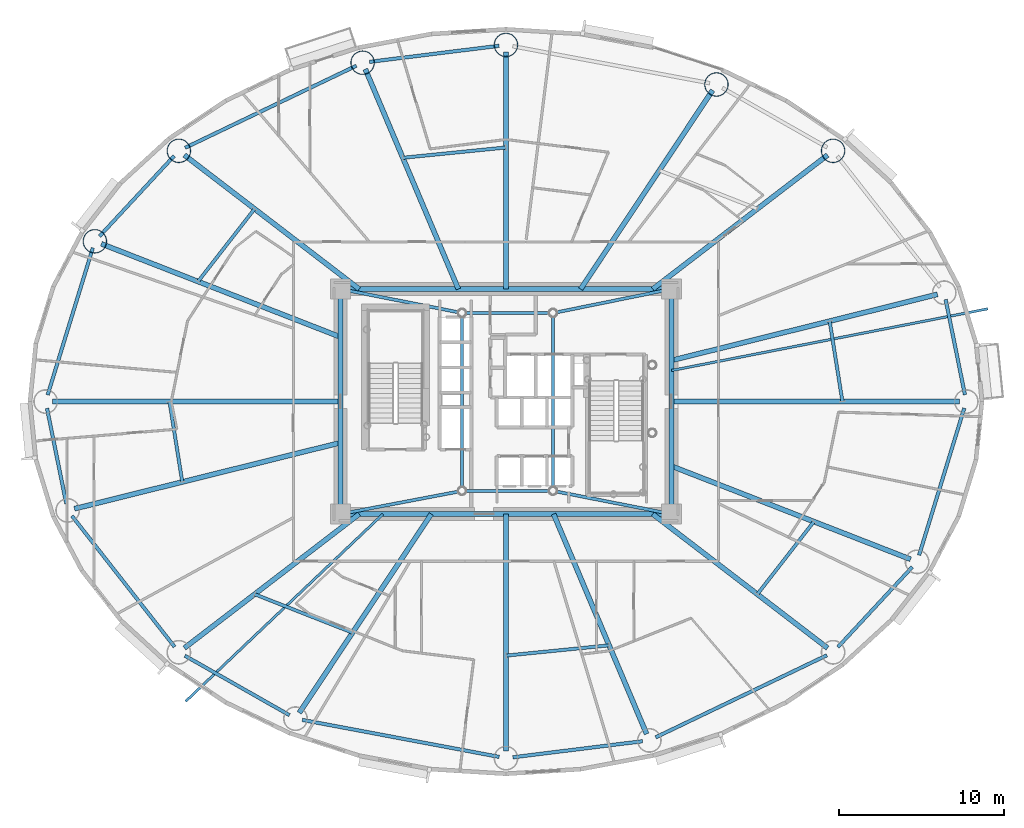
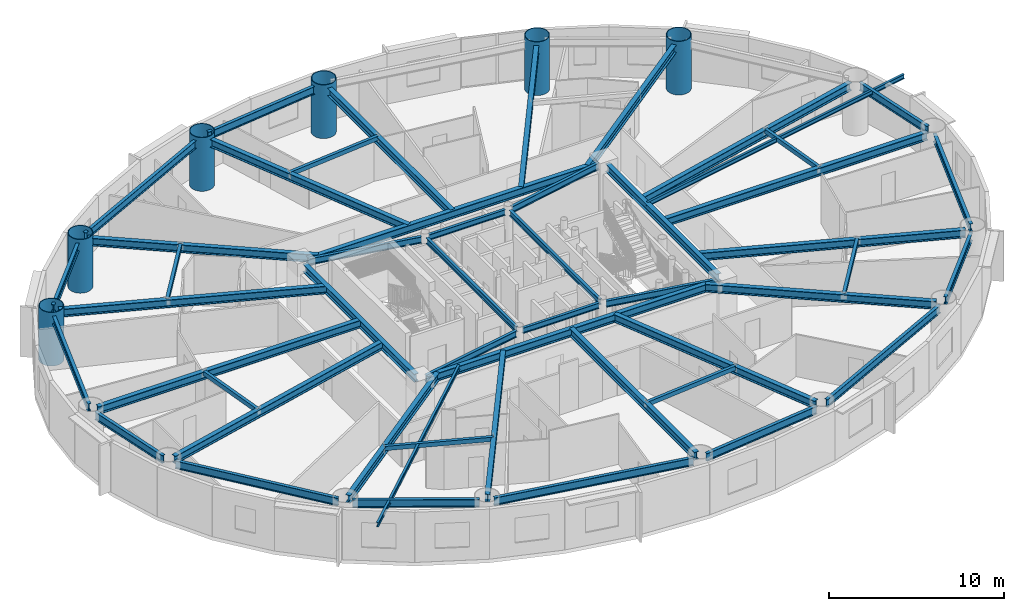
# One storey, part 3 of 21: 50 beams, 6 columns.
"""IFC4 building model written with IfcOpenShell, lengths in metres."""

from ifc_helpers import new_model, si_unit, direction, frame, origin, origin_2d, place, context, subcontext, project, spatial, hollow_rectangle, hollow_circle, i_section, extrude, material, material_profile, profile_set, type_object, element, save


model = new_model("IFC4")

# Units and contexts
model_context = context("Model", 3, precision=1e-05, world=origin(), true_north=direction((0.0, 1.0)))
body_context = subcontext(model_context, "Body", "Model", "MODEL_VIEW")
ifc_project = project(units=[si_unit("LENGTHUNIT", "METRE"), si_unit("AREAUNIT", "SQUARE_METRE"), si_unit("VOLUMEUNIT", "CUBIC_METRE"), si_unit("PLANEANGLEUNIT", "RADIAN"), si_unit("MASSUNIT", "GRAM", prefix="KILO")], contexts=[model_context])

# Site, building, storey
site_placement = place(None, origin())
site = spatial("IfcSite", under=ifc_project, at=site_placement, CompositionType="ELEMENT")
building_placement = place(site_placement, origin())
building = spatial("IfcBuilding", under=site, at=building_placement, Name="Linh Dai School and Residence Tower", CompositionType="ELEMENT")
storey_placement = place(building_placement, frame((0.0, 0.0, 97.199951171875)))
storey = spatial("IfcBuildingStorey", under=building, at=storey_placement, Name="L22", CompositionType="ELEMENT", Elevation=97.199951171875)

# Columns
ifc_material = material(Name="Structural Steel S355JR", Category="steel")
ifc_material_profile_1 = material_profile(ifc_material, hollow_circle(Radius=0.72509765625, WallThickness=0.0419921875, at=origin_2d()), Name="CHS 1450x42")
ifc_profile_set_1 = profile_set([ifc_material_profile_1], Name="Structural Steel S355JR")
column_type = type_object("IfcColumnType", Name="COL-MC3", PredefinedType="COLUMN", material=ifc_profile_set_1)
for number, where, z_axis, x_axis, name in (
    (1, (55.772705078125, 42.155517578125, 0.0), (0.0, 0.0, 1.0), (1.0, 0.0, 0.0), "L22 Perimeter CFT Mega-Column MC03"),
    (2, (48.721923828125, 46.1650390625, 0.0), (0.0, 0.0, 1.0), (1.0, 0.0, 0.0), "L22 Perimeter CFT Mega-Column MC04"),
    (3, (36.0, 48.554931640625, 0.0), (0.0, 0.0, 1.0), (1.0, 0.0, 0.0), "L22 Perimeter CFT Mega-Column MC05"),
    (4, (27.33447265625, 47.480712890625, 0.0), (0.0, 0.0, 1.0), (1.0, 0.0, 0.0), "L22 Perimeter CFT Mega-Column MC06"),
    (5, (16.227294921875, 42.155517578125, 0.0), (0.0, 0.0, 1.0), (1.0, 0.0, 0.0), "L22 Perimeter CFT Mega-Column MC07"),
    (6, (11.15087890625, 36.6875, 0.0), (0.0, 0.0, 1.0), (1.0, 0.0, 0.0), "L22 Perimeter CFT Mega-Column MC08"),
):
    element("IfcColumn", number, at=place(storey_placement, frame(where, z_axis=z_axis, x_axis=x_axis)), inside=storey, type_object=column_type, Name=name, PredefinedType="COLUMN", context=body_context, shape_type="SweptSolid", body=[
        extrude(hollow_circle(Radius=0.72509765625, WallThickness=0.0419921875, at=origin_2d()), origin(), (0.0, 0.0, 1.0), 3.75),
    ])

# Beams
ifc_material_profile_2 = material_profile(ifc_material, i_section(OverallWidth=0.14990234375, OverallDepth=0.300048828125, WebThickness=0.007080078125, FlangeThickness=0.0107421875, at=origin_2d()), Name="IPE 300")
ifc_profile_set_2 = profile_set([ifc_material_profile_2], Name="Structural Steel S355JR")
beam_type_1 = type_object("IfcBeamType", Name="BM-BALC-CANT", PredefinedType="BEAM", material=ifc_profile_set_2)
beam_1_placement = place(storey_placement, frame((46.0, 28.875, 3.35009765625), z_axis=(0.981487490033, 0.191526256449, 0.0), x_axis=(-0.191526256449, 0.981487490033, 0.0)))
element("IfcBeam", 7, at=beam_1_placement, inside=storey, type_object=beam_type_1, Name="L23 Balcony Continuous Cantilever Beam 02", PredefinedType="BEAM", context=body_context, shape_type="SweptSolid", body=[
    extrude(i_section(OverallWidth=0.14990234375, OverallDepth=0.300048828125, WebThickness=0.007080078125, FlangeThickness=0.0107421875, at=origin_2d()), origin(), (0.0, 0.0, 1.0), 19.4853515625),
])
beam_2_placement = place(storey_placement, frame((28.565673828125, 20.199951171875, 3.35009765625), z_axis=(-0.725187762116, -0.688551167073, 0.0), x_axis=(0.688551167073, -0.725187762116, 0.0)))
element("IfcBeam", 8, at=beam_2_placement, inside=storey, type_object=beam_type_1, Name="L23 Balcony Continuous Cantilever Beam 26", PredefinedType="BEAM", context=body_context, shape_type="SweptSolid", body=[
    extrude(i_section(OverallWidth=0.14990234375, OverallDepth=0.300048828125, WebThickness=0.007080078125, FlangeThickness=0.0107421875, at=origin_2d()), origin(), (0.0, 0.0, 1.0), 16.439697265625),
])
ifc_material_profile_3 = material_profile(ifc_material, hollow_rectangle(XDim=0.199951171875, YDim=0.300048828125, WallThickness=0.010009765625, at=origin_2d()), Name="RHS 300x200x10")
ifc_profile_set_3 = profile_set([ifc_material_profile_3], Name="Structural Steel S355JR")
beam_type_2 = type_object("IfcBeamType", Name="BM-BX3", PredefinedType="BEAM", material=ifc_profile_set_3)
beam_3_placement = place(storey_placement, frame((56.337646484375, 27.0048828125, 3.35009765625), z_axis=(-0.157026901302, 0.987594325757, 0.0), x_axis=(-0.987594325757, -0.157026901302, 0.0)))
element("IfcBeam", 9, at=beam_3_placement, inside=storey, type_object=beam_type_2, Name="L22 Secondary Circumferential Floor Beam 01", PredefinedType="BEAM", context=body_context, shape_type="SweptSolid", body=[
    extrude(hollow_rectangle(XDim=0.199951171875, YDim=0.300048828125, WallThickness=0.010009765625, at=origin_2d()), origin(), (0.0, 0.0, 1.0), 4.91162109375),
])
beam_4_placement = place(storey_placement, frame((35.9951171875, 42.357421875, 3.35009765625), z_axis=(-0.995043370853, -0.099441893196, 0.0), x_axis=(0.099441893196, -0.995043370853, 0.0)))
element("IfcBeam", 10, at=beam_4_placement, inside=storey, type_object=beam_type_2, Name="L22 Secondary Circumferential Floor Beam 03", PredefinedType="BEAM", context=body_context, shape_type="SweptSolid", body=[
    extrude(hollow_rectangle(XDim=0.199951171875, YDim=0.300048828125, WallThickness=0.010009765625, at=origin_2d()), origin(), (0.0, 0.0, 1.0), 6.255615234375),
])
beam_5_placement = place(storey_placement, frame((20.802734375, 38.64208984375, 3.35009765625), z_axis=(-0.614369629322, -0.789018351223, 0.0), x_axis=(0.789018351223, -0.614369629322, 0.0)))
element("IfcBeam", 11, at=beam_5_placement, inside=storey, type_object=beam_type_2, Name="L22 Secondary Circumferential Floor Beam 04", PredefinedType="BEAM", context=body_context, shape_type="SweptSolid", body=[
    extrude(hollow_rectangle(XDim=0.199951171875, YDim=0.300048828125, WallThickness=0.010009765625, at=origin_2d()), origin(), (0.0, 0.0, 1.0), 5.553955078125),
])
beam_6_placement = place(storey_placement, frame((15.662353515625, 26.9951171875, 3.35009765625), z_axis=(0.157026901302, -0.987594325757, 0.0), x_axis=(0.987594325757, 0.157026901302, 0.0)))
element("IfcBeam", 12, at=beam_6_placement, inside=storey, type_object=beam_type_2, Name="L22 Secondary Circumferential Floor Beam 05", PredefinedType="BEAM", context=body_context, shape_type="SweptSolid", body=[
    extrude(hollow_rectangle(XDim=0.199951171875, YDim=0.300048828125, WallThickness=0.010009765625, at=origin_2d()), origin(), (0.0, 0.0, 1.0), 4.91162109375),
])
beam_7_placement = place(storey_placement, frame((20.810546875, 15.35205078125, 3.35009765625), z_axis=(0.930742146732, -0.365676163151, 0.0), x_axis=(0.365676163151, 0.930742146732, 0.0)))
element("IfcBeam", 13, at=beam_7_placement, inside=storey, type_object=beam_type_2, Name="L22 Secondary Circumferential Floor Beam 06", PredefinedType="BEAM", context=body_context, shape_type="SweptSolid", body=[
    extrude(hollow_rectangle(XDim=0.199951171875, YDim=0.300048828125, WallThickness=0.010009765625, at=origin_2d()), origin(), (0.0, 0.0, 1.0), 6.349853515625),
])
beam_8_placement = place(storey_placement, frame((36.0048828125, 11.642578125, 3.35009765625), z_axis=(0.995043370853, 0.099441893196, 0.0), x_axis=(-0.099441893196, 0.995043370853, 0.0)))
element("IfcBeam", 14, at=beam_8_placement, inside=storey, type_object=beam_type_2, Name="L22 Secondary Circumferential Floor Beam 07", PredefinedType="BEAM", context=body_context, shape_type="SweptSolid", body=[
    extrude(hollow_rectangle(XDim=0.199951171875, YDim=0.300048828125, WallThickness=0.010009765625, at=origin_2d()), origin(), (0.0, 0.0, 1.0), 6.255615234375),
])
beam_9_placement = place(storey_placement, frame((51.197265625, 15.35791015625, 3.35009765625), z_axis=(0.614369629322, 0.789018351223, 0.0), x_axis=(-0.789018351223, 0.614369629322, 0.0)))
element("IfcBeam", 15, at=beam_9_placement, inside=storey, type_object=beam_type_2, Name="L22 Secondary Circumferential Floor Beam 08", PredefinedType="BEAM", context=body_context, shape_type="SweptSolid", body=[
    extrude(hollow_rectangle(XDim=0.199951171875, YDim=0.300048828125, WallThickness=0.010009765625, at=origin_2d()), origin(), (0.0, 0.0, 1.0), 5.553955078125),
])
ifc_material_profile_4 = material_profile(ifc_material, i_section(OverallWidth=0.2099609375, OverallDepth=0.550048828125, WebThickness=0.010986328125, FlangeThickness=0.01708984375, FilletRadius=0.02392578125, at=origin_2d()), Name="IPE 550")
ifc_profile_set_4 = profile_set([ifc_material_profile_4], Name="Structural Steel S355JR")
beam_type_3 = type_object("IfcBeamType", Name="BM-RB55", PredefinedType="BEAM", material=ifc_profile_set_4)
beam_10_placement = place(storey_placement, frame((63.74169921875, 27.41162109375, 3.22509765625), z_axis=(-0.198441254313, 0.980112783605, 0.0), x_axis=(-0.980112783605, -0.198441254313, 0.0)))
element("IfcBeam", 16, at=beam_10_placement, inside=storey, type_object=beam_type_3, Name="L22 Perimeter Elliptical Ring Beam 01", PredefinedType="BEAM", context=body_context, shape_type="SweptSolid", body=[
    extrude(i_section(OverallWidth=0.2099609375, OverallDepth=0.550048828125, WebThickness=0.010986328125, FlangeThickness=0.01708984375, FilletRadius=0.02392578125, at=origin_2d()), origin(), (0.0, 0.0, 1.0), 5.874755859375),
])
beam_11_placement = place(storey_placement, frame((35.583251953125, 48.50341796875, 3.22509765625), z_axis=(-0.992399234854, -0.123059979933, 0.0), x_axis=(0.123059979933, -0.992399234854, 0.0)))
element("IfcBeam", 17, at=beam_11_placement, inside=storey, type_object=beam_type_3, Name="L22 Perimeter Elliptical Ring Beam 05", PredefinedType="BEAM", context=body_context, shape_type="SweptSolid", body=[
    extrude(i_section(OverallWidth=0.2099609375, OverallDepth=0.550048828125, WebThickness=0.010986328125, FlangeThickness=0.01708984375, FilletRadius=0.02392578125, at=origin_2d()), origin(), (0.0, 0.0, 1.0), 7.89208984375),
])
beam_12_placement = place(storey_placement, frame((26.955810546875, 47.299072265625, 3.22509765625), z_axis=(-0.901715153312, -0.432330640005, 0.0), x_axis=(0.432330640005, -0.901715153312, 0.0)))
element("IfcBeam", 18, at=beam_12_placement, inside=storey, type_object=beam_type_3, Name="L22 Perimeter Elliptical Ring Beam 06", PredefinedType="BEAM", context=body_context, shape_type="SweptSolid", body=[
    extrude(i_section(OverallWidth=0.2099609375, OverallDepth=0.550048828125, WebThickness=0.010986328125, FlangeThickness=0.01708984375, FilletRadius=0.02392578125, at=origin_2d()), origin(), (0.0, 0.0, 1.0), 11.477783203125),
])
beam_13_placement = place(storey_placement, frame((15.941650390625, 41.84765625, 3.22509765625), z_axis=(-0.680384623752, -0.732855213369, 0.0), x_axis=(0.732855213369, -0.680384623752, 0.0)))
element("IfcBeam", 19, at=beam_13_placement, inside=storey, type_object=beam_type_3, Name="L22 Perimeter Elliptical Ring Beam 07", PredefinedType="BEAM", context=body_context, shape_type="SweptSolid", body=[
    extrude(i_section(OverallWidth=0.2099609375, OverallDepth=0.550048828125, WebThickness=0.010986328125, FlangeThickness=0.01708984375, FilletRadius=0.02392578125, at=origin_2d()), origin(), (0.0, 0.0, 1.0), 6.62109375),
])
beam_14_placement = place(storey_placement, frame((11.027587890625, 36.2861328125, 3.22509765625), z_axis=(-0.29364097848, -0.95591577859, 0.0), x_axis=(0.95591577859, -0.29364097848, 0.0)))
element("IfcBeam", 20, at=beam_14_placement, inside=storey, type_object=beam_type_3, Name="L22 Perimeter Elliptical Ring Beam 08", PredefinedType="BEAM", context=body_context, shape_type="SweptSolid", body=[
    extrude(i_section(OverallWidth=0.2099609375, OverallDepth=0.550048828125, WebThickness=0.010986328125, FlangeThickness=0.01708984375, FilletRadius=0.02392578125, at=origin_2d()), origin(), (0.0, 0.0, 1.0), 9.29443359375),
])
beam_15_placement = place(storey_placement, frame((8.25830078125, 26.58837890625, 3.22509765625), z_axis=(0.198441254313, -0.980112783605, 0.0), x_axis=(0.980112783605, 0.198441254313, 0.0)))
element("IfcBeam", 21, at=beam_15_placement, inside=storey, type_object=beam_type_3, Name="L22 Perimeter Elliptical Ring Beam 09", PredefinedType="BEAM", context=body_context, shape_type="SweptSolid", body=[
    extrude(i_section(OverallWidth=0.2099609375, OverallDepth=0.550048828125, WebThickness=0.010986328125, FlangeThickness=0.01708984375, FilletRadius=0.02392578125, at=origin_2d()), origin(), (0.0, 0.0, 1.0), 5.874755859375),
])
beam_16_placement = place(storey_placement, frame((9.766357421875, 20.08837890625, 3.22509765625), z_axis=(0.616854830973, -0.787076945098, 0.0), x_axis=(0.787076945098, 0.616854830973, 0.0)))
element("IfcBeam", 22, at=beam_16_placement, inside=storey, type_object=beam_type_3, Name="L22 Perimeter Elliptical Ring Beam 10", PredefinedType="BEAM", context=body_context, shape_type="SweptSolid", body=[
    extrude(i_section(OverallWidth=0.2099609375, OverallDepth=0.550048828125, WebThickness=0.010986328125, FlangeThickness=0.01708984375, FilletRadius=0.02392578125, at=origin_2d()), origin(), (0.0, 0.0, 1.0), 10.053955078125),
])
beam_17_placement = place(storey_placement, frame((16.592529296875, 11.636962890625, 3.22509765625), z_axis=(0.86927031475, -0.494337050902, 0.0), x_axis=(0.494337050902, 0.86927031475, 0.0)))
element("IfcBeam", 23, at=beam_17_placement, inside=storey, type_object=beam_type_3, Name="L22 Perimeter Elliptical Ring Beam 11", PredefinedType="BEAM", context=body_context, shape_type="SweptSolid", body=[
    extrude(i_section(OverallWidth=0.2099609375, OverallDepth=0.550048828125, WebThickness=0.010986328125, FlangeThickness=0.01708984375, FilletRadius=0.02392578125, at=origin_2d()), origin(), (0.0, 0.0, 1.0), 7.270751953125),
])
beam_18_placement = place(storey_placement, frame((23.69091796875, 7.75732421875, 3.22509765625), z_axis=(0.982807507457, -0.184633158685, 0.0), x_axis=(0.184633158685, 0.982807507457, 0.0)))
element("IfcBeam", 24, at=beam_18_placement, inside=storey, type_object=beam_type_3, Name="L22 Perimeter Elliptical Ring Beam 12", PredefinedType="BEAM", context=body_context, shape_type="SweptSolid", body=[
    extrude(i_section(OverallWidth=0.2099609375, OverallDepth=0.550048828125, WebThickness=0.010986328125, FlangeThickness=0.01708984375, FilletRadius=0.02392578125, at=origin_2d()), origin(), (0.0, 0.0, 1.0), 12.104248046875),
])
beam_19_placement = place(storey_placement, frame((36.416748046875, 5.49658203125, 3.22509765625), z_axis=(0.992399234854, 0.123059979933, 0.0), x_axis=(-0.123059979933, 0.992399234854, 0.0)))
element("IfcBeam", 25, at=beam_19_placement, inside=storey, type_object=beam_type_3, Name="L22 Perimeter Elliptical Ring Beam 13", PredefinedType="BEAM", context=body_context, shape_type="SweptSolid", body=[
    extrude(i_section(OverallWidth=0.2099609375, OverallDepth=0.550048828125, WebThickness=0.010986328125, FlangeThickness=0.01708984375, FilletRadius=0.02392578125, at=origin_2d()), origin(), (0.0, 0.0, 1.0), 7.89208984375),
])
beam_20_placement = place(storey_placement, frame((45.044189453125, 6.700927734375, 3.22509765625), z_axis=(0.901715153312, 0.432330640005, 0.0), x_axis=(-0.432330640005, 0.901715153312, 0.0)))
element("IfcBeam", 26, at=beam_20_placement, inside=storey, type_object=beam_type_3, Name="L22 Perimeter Elliptical Ring Beam 14", PredefinedType="BEAM", context=body_context, shape_type="SweptSolid", body=[
    extrude(i_section(OverallWidth=0.2099609375, OverallDepth=0.550048828125, WebThickness=0.010986328125, FlangeThickness=0.01708984375, FilletRadius=0.02392578125, at=origin_2d()), origin(), (0.0, 0.0, 1.0), 11.477783203125),
])
beam_21_placement = place(storey_placement, frame((56.058349609375, 12.15234375, 3.22509765625), z_axis=(0.680384623752, 0.732855213369, 0.0), x_axis=(-0.732855213369, 0.680384623752, 0.0)))
element("IfcBeam", 27, at=beam_21_placement, inside=storey, type_object=beam_type_3, Name="L22 Perimeter Elliptical Ring Beam 15", PredefinedType="BEAM", context=body_context, shape_type="SweptSolid", body=[
    extrude(i_section(OverallWidth=0.2099609375, OverallDepth=0.550048828125, WebThickness=0.010986328125, FlangeThickness=0.01708984375, FilletRadius=0.02392578125, at=origin_2d()), origin(), (0.0, 0.0, 1.0), 6.62109375),
])
beam_22_placement = place(storey_placement, frame((60.972412109375, 17.7138671875, 3.22509765625), z_axis=(0.29364097848, 0.95591577859, 0.0), x_axis=(-0.95591577859, 0.29364097848, 0.0)))
element("IfcBeam", 28, at=beam_22_placement, inside=storey, type_object=beam_type_3, Name="L22 Perimeter Elliptical Ring Beam 16", PredefinedType="BEAM", context=body_context, shape_type="SweptSolid", body=[
    extrude(i_section(OverallWidth=0.2099609375, OverallDepth=0.550048828125, WebThickness=0.010986328125, FlangeThickness=0.01708984375, FilletRadius=0.02392578125, at=origin_2d()), origin(), (0.0, 0.0, 1.0), 9.29443359375),
])
ifc_material_profile_5 = material_profile(ifc_material, i_section(OverallWidth=0.300048828125, OverallDepth=0.550048828125, WebThickness=0.014892578125, FlangeThickness=0.029052734375, FilletRadius=0.027099609375, at=origin_2d()), Name="HEB 550")
ifc_profile_set_5 = profile_set([ifc_material_profile_5], Name="Structural Steel S355JR")
beam_type_4 = type_object("IfcBeamType", Name="BM-RG55", PredefinedType="BEAM", material=ifc_profile_set_5)
beam_23_placement = place(storey_placement, frame((26.419921875, 20.199951171875, 3.22509765625), z_axis=(1.0, 0.0, 0.0), x_axis=(0.0, 1.0, 0.0)))
element("IfcBeam", 29, at=beam_23_placement, inside=storey, type_object=beam_type_4, Name="L22 Core Perimeter Coupling Girder 1", PredefinedType="BEAM", context=body_context, shape_type="SweptSolid", body=[
    extrude(i_section(OverallWidth=0.300048828125, OverallDepth=0.550048828125, WebThickness=0.014892578125, FlangeThickness=0.029052734375, FilletRadius=0.027099609375, at=origin_2d()), origin(), (0.0, 0.0, 1.0), 19.16015625),
])
beam_24_placement = place(storey_placement, frame((46.0, 20.6201171875, 3.22509765625), z_axis=(0.0, 1.0, 0.0), x_axis=(-1.0, 0.0, 0.0)))
element("IfcBeam", 30, at=beam_24_placement, inside=storey, type_object=beam_type_4, Name="L22 Core Perimeter Coupling Girder 2", PredefinedType="BEAM", context=body_context, shape_type="SweptSolid", body=[
    extrude(i_section(OverallWidth=0.300048828125, OverallDepth=0.550048828125, WebThickness=0.014892578125, FlangeThickness=0.029052734375, FilletRadius=0.027099609375, at=origin_2d()), origin(), (0.0, 0.0, 1.0), 12.759765625),
])
beam_25_placement = place(storey_placement, frame((45.580078125, 33.800048828125, 3.22509765625), z_axis=(-1.0, 0.0, 0.0), x_axis=(0.0, -1.0, 0.0)))
element("IfcBeam", 31, at=beam_25_placement, inside=storey, type_object=beam_type_4, Name="L22 Core Perimeter Coupling Girder 3", PredefinedType="BEAM", context=body_context, shape_type="SweptSolid", body=[
    extrude(i_section(OverallWidth=0.300048828125, OverallDepth=0.550048828125, WebThickness=0.014892578125, FlangeThickness=0.029052734375, FilletRadius=0.027099609375, at=origin_2d()), origin(), (0.0, 0.0, 1.0), 19.16015625),
])
beam_26_placement = place(storey_placement, frame((26.0, 33.3798828125, 3.22509765625), z_axis=(0.0, -1.0, 0.0), x_axis=(1.0, 0.0, 0.0)))
element("IfcBeam", 32, at=beam_26_placement, inside=storey, type_object=beam_type_4, Name="L22 Core Perimeter Coupling Girder 4", PredefinedType="BEAM", context=body_context, shape_type="SweptSolid", body=[
    extrude(i_section(OverallWidth=0.300048828125, OverallDepth=0.550048828125, WebThickness=0.014892578125, FlangeThickness=0.029052734375, FilletRadius=0.027099609375, at=origin_2d()), origin(), (0.0, 0.0, 1.0), 12.759765625),
])
beam_27_placement = place(storey_placement, frame((46.0, 27.0, 3.22509765625), z_axis=(1.0, 0.0, 0.0), x_axis=(0.0, 1.0, 0.0)))
element("IfcBeam", 33, at=beam_27_placement, inside=storey, type_object=beam_type_4, Name="L22 Primary Radial Floor Girder 01", PredefinedType="BEAM", context=body_context, shape_type="SweptSolid", body=[
    extrude(i_section(OverallWidth=0.300048828125, OverallDepth=0.550048828125, WebThickness=0.014892578125, FlangeThickness=0.029052734375, FilletRadius=0.027099609375, at=origin_2d()), origin(), (0.0, 0.0, 1.0), 17.405029296875),
])
beam_28_placement = place(storey_placement, frame((46.0, 29.484130859375, 3.22509765625), z_axis=(0.970505338376, 0.241079630379, 0.0), x_axis=(-0.241079630379, 0.970505338376, 0.0)))
element("IfcBeam", 34, at=beam_28_placement, inside=storey, type_object=beam_type_4, Name="L22 Primary Radial Floor Girder 02", PredefinedType="BEAM", context=body_context, shape_type="SweptSolid", body=[
    extrude(i_section(OverallWidth=0.300048828125, OverallDepth=0.550048828125, WebThickness=0.014892578125, FlangeThickness=0.029052734375, FilletRadius=0.027099609375, at=origin_2d()), origin(), (0.0, 0.0, 1.0), 16.57373046875),
])
beam_29_placement = place(storey_placement, frame((44.87158203125, 33.800048828125, 3.22509765625), z_axis=(0.793678660795, 0.608337228352, 0.0), x_axis=(-0.608337228352, 0.793678660795, 0.0)))
element("IfcBeam", 35, at=beam_29_placement, inside=storey, type_object=beam_type_4, Name="L22 Primary Radial Floor Girder 03", PredefinedType="BEAM", context=body_context, shape_type="SweptSolid", body=[
    extrude(i_section(OverallWidth=0.300048828125, OverallDepth=0.550048828125, WebThickness=0.014892578125, FlangeThickness=0.029052734375, FilletRadius=0.027099609375, at=origin_2d()), origin(), (0.0, 0.0, 1.0), 13.314697265625),
])
beam_30_placement = place(storey_placement, frame((40.513916015625, 33.800048828125, 3.22509765625), z_axis=(0.553054392401, 0.833145148846, 0.0), x_axis=(-0.833145148846, 0.553054392401, 0.0)))
element("IfcBeam", 36, at=beam_30_placement, inside=storey, type_object=beam_type_4, Name="L22 Primary Radial Floor Girder 04", PredefinedType="BEAM", context=body_context, shape_type="SweptSolid", body=[
    extrude(i_section(OverallWidth=0.300048828125, OverallDepth=0.550048828125, WebThickness=0.014892578125, FlangeThickness=0.029052734375, FilletRadius=0.027099609375, at=origin_2d()), origin(), (0.0, 0.0, 1.0), 14.42138671875),
])
beam_31_placement = place(storey_placement, frame((36.0, 33.800048828125, 3.22509765625), z_axis=(0.0, 1.0, 0.0), x_axis=(-1.0, 0.0, 0.0)))
element("IfcBeam", 37, at=beam_31_placement, inside=storey, type_object=beam_type_4, Name="L22 Primary Radial Floor Girder 05", PredefinedType="BEAM", context=body_context, shape_type="SweptSolid", body=[
    extrude(i_section(OverallWidth=0.300048828125, OverallDepth=0.550048828125, WebThickness=0.014892578125, FlangeThickness=0.029052734375, FilletRadius=0.027099609375, at=origin_2d()), origin(), (0.0, 0.0, 1.0), 14.3349609375),
])
beam_32_placement = place(storey_placement, frame((33.122802734375, 33.800048828125, 3.22509765625), z_axis=(-0.389669233739, 0.920954878524, 0.0), x_axis=(-0.920954878524, -0.389669233739, 0.0)))
element("IfcBeam", 38, at=beam_32_placement, inside=storey, type_object=beam_type_4, Name="L22 Primary Radial Floor Girder 06", PredefinedType="BEAM", context=body_context, shape_type="SweptSolid", body=[
    extrude(i_section(OverallWidth=0.300048828125, OverallDepth=0.550048828125, WebThickness=0.014892578125, FlangeThickness=0.029052734375, FilletRadius=0.027099609375, at=origin_2d()), origin(), (0.0, 0.0, 1.0), 14.434814453125),
])
beam_33_placement = place(storey_placement, frame((27.12841796875, 33.800048828125, 3.22509765625), z_axis=(-0.793678660795, 0.608337228352, 0.0), x_axis=(-0.608337228352, -0.793678660795, 0.0)))
element("IfcBeam", 39, at=beam_33_placement, inside=storey, type_object=beam_type_4, Name="L22 Primary Radial Floor Girder 07", PredefinedType="BEAM", context=body_context, shape_type="SweptSolid", body=[
    extrude(i_section(OverallWidth=0.300048828125, OverallDepth=0.550048828125, WebThickness=0.014892578125, FlangeThickness=0.029052734375, FilletRadius=0.027099609375, at=origin_2d()), origin(), (0.0, 0.0, 1.0), 13.314697265625),
])
beam_34_placement = place(storey_placement, frame((26.0, 30.8984375, 3.22509765625), z_axis=(-0.931699338449, 0.363230426498, 0.0), x_axis=(-0.363230426498, -0.931699338449, 0.0)))
element("IfcBeam", 40, at=beam_34_placement, inside=storey, type_object=beam_type_4, Name="L22 Primary Radial Floor Girder 08", PredefinedType="BEAM", context=body_context, shape_type="SweptSolid", body=[
    extrude(i_section(OverallWidth=0.300048828125, OverallDepth=0.550048828125, WebThickness=0.014892578125, FlangeThickness=0.029052734375, FilletRadius=0.027099609375, at=origin_2d()), origin(), (0.0, 0.0, 1.0), 15.517578125),
])
beam_35_placement = place(storey_placement, frame((26.0, 27.0, 3.22509765625), z_axis=(-1.0, 0.0, 0.0), x_axis=(0.0, -1.0, 0.0)))
element("IfcBeam", 41, at=beam_35_placement, inside=storey, type_object=beam_type_4, Name="L22 Primary Radial Floor Girder 09", PredefinedType="BEAM", context=body_context, shape_type="SweptSolid", body=[
    extrude(i_section(OverallWidth=0.300048828125, OverallDepth=0.550048828125, WebThickness=0.014892578125, FlangeThickness=0.029052734375, FilletRadius=0.027099609375, at=origin_2d()), origin(), (0.0, 0.0, 1.0), 17.405029296875),
])
beam_36_placement = place(storey_placement, frame((26.0, 24.515869140625, 3.22509765625), z_axis=(-0.970505338376, -0.241079630379, 0.0), x_axis=(0.241079630379, -0.970505338376, 0.0)))
element("IfcBeam", 42, at=beam_36_placement, inside=storey, type_object=beam_type_4, Name="L22 Primary Radial Floor Girder 10", PredefinedType="BEAM", context=body_context, shape_type="SweptSolid", body=[
    extrude(i_section(OverallWidth=0.300048828125, OverallDepth=0.550048828125, WebThickness=0.014892578125, FlangeThickness=0.029052734375, FilletRadius=0.027099609375, at=origin_2d()), origin(), (0.0, 0.0, 1.0), 16.57373046875),
])
beam_37_placement = place(storey_placement, frame((27.12841796875, 20.199951171875, 3.22509765625), z_axis=(-0.793678660795, -0.608337228352, 0.0), x_axis=(0.608337228352, -0.793678660795, 0.0)))
element("IfcBeam", 43, at=beam_37_placement, inside=storey, type_object=beam_type_4, Name="L22 Primary Radial Floor Girder 11", PredefinedType="BEAM", context=body_context, shape_type="SweptSolid", body=[
    extrude(i_section(OverallWidth=0.300048828125, OverallDepth=0.550048828125, WebThickness=0.014892578125, FlangeThickness=0.029052734375, FilletRadius=0.027099609375, at=origin_2d()), origin(), (0.0, 0.0, 1.0), 13.314697265625),
])
beam_38_placement = place(storey_placement, frame((31.486083984375, 20.199951171875, 3.22509765625), z_axis=(-0.553054392401, -0.833145148846, 0.0), x_axis=(0.833145148846, -0.553054392401, 0.0)))
element("IfcBeam", 44, at=beam_38_placement, inside=storey, type_object=beam_type_4, Name="L22 Primary Radial Floor Girder 12", PredefinedType="BEAM", context=body_context, shape_type="SweptSolid", body=[
    extrude(i_section(OverallWidth=0.300048828125, OverallDepth=0.550048828125, WebThickness=0.014892578125, FlangeThickness=0.029052734375, FilletRadius=0.027099609375, at=origin_2d()), origin(), (0.0, 0.0, 1.0), 14.42138671875),
])
beam_39_placement = place(storey_placement, frame((36.0, 20.199951171875, 3.22509765625), z_axis=(0.0, -1.0, 0.0), x_axis=(1.0, 0.0, 0.0)))
element("IfcBeam", 45, at=beam_39_placement, inside=storey, type_object=beam_type_4, Name="L22 Primary Radial Floor Girder 13", PredefinedType="BEAM", context=body_context, shape_type="SweptSolid", body=[
    extrude(i_section(OverallWidth=0.300048828125, OverallDepth=0.550048828125, WebThickness=0.014892578125, FlangeThickness=0.029052734375, FilletRadius=0.027099609375, at=origin_2d()), origin(), (0.0, 0.0, 1.0), 14.3349609375),
])
beam_40_placement = place(storey_placement, frame((38.877197265625, 20.199951171875, 3.22509765625), z_axis=(0.389669233739, -0.920954878524, 0.0), x_axis=(0.920954878524, 0.389669233739, 0.0)))
element("IfcBeam", 46, at=beam_40_placement, inside=storey, type_object=beam_type_4, Name="L22 Primary Radial Floor Girder 14", PredefinedType="BEAM", context=body_context, shape_type="SweptSolid", body=[
    extrude(i_section(OverallWidth=0.300048828125, OverallDepth=0.550048828125, WebThickness=0.014892578125, FlangeThickness=0.029052734375, FilletRadius=0.027099609375, at=origin_2d()), origin(), (0.0, 0.0, 1.0), 14.434814453125),
])
beam_41_placement = place(storey_placement, frame((44.87158203125, 20.199951171875, 3.22509765625), z_axis=(0.793678660795, -0.608337228352, 0.0), x_axis=(0.608337228352, 0.793678660795, 0.0)))
element("IfcBeam", 47, at=beam_41_placement, inside=storey, type_object=beam_type_4, Name="L22 Primary Radial Floor Girder 15", PredefinedType="BEAM", context=body_context, shape_type="SweptSolid", body=[
    extrude(i_section(OverallWidth=0.300048828125, OverallDepth=0.550048828125, WebThickness=0.014892578125, FlangeThickness=0.029052734375, FilletRadius=0.027099609375, at=origin_2d()), origin(), (0.0, 0.0, 1.0), 13.314697265625),
])
beam_42_placement = place(storey_placement, frame((46.0, 23.1015625, 3.22509765625), z_axis=(0.931699338449, -0.363230426498, 0.0), x_axis=(0.363230426498, 0.931699338449, 0.0)))
element("IfcBeam", 48, at=beam_42_placement, inside=storey, type_object=beam_type_4, Name="L22 Primary Radial Floor Girder 16", PredefinedType="BEAM", context=body_context, shape_type="SweptSolid", body=[
    extrude(i_section(OverallWidth=0.300048828125, OverallDepth=0.550048828125, WebThickness=0.014892578125, FlangeThickness=0.029052734375, FilletRadius=0.027099609375, at=origin_2d()), origin(), (0.0, 0.0, 1.0), 15.517578125),
])
ifc_material_profile_6 = material_profile(ifc_material, i_section(OverallWidth=0.179931640625, OverallDepth=0.39990234375, WebThickness=0.008544921875, FlangeThickness=0.013427734375, FilletRadius=0.02099609375, at=origin_2d()), Name="IPE 400")
ifc_profile_set_6 = profile_set([ifc_material_profile_6], Name="Structural Steel S355JR")
beam_type_5 = type_object("IfcBeamType", Name="BM-SB40", PredefinedType="BEAM", material=ifc_profile_set_6)
beam_43_placement = place(storey_placement, frame((33.573974609375, 21.60009765625, 3.300048828125), z_axis=(1.0, 0.0, 0.0), x_axis=(0.0, 1.0, 0.0)))
element("IfcBeam", 49, at=beam_43_placement, inside=storey, type_object=beam_type_5, Name="L22 Core Mast Pier Tie Beam 1", PredefinedType="BEAM", context=body_context, shape_type="SweptSolid", body=[
    extrude(i_section(OverallWidth=0.179931640625, OverallDepth=0.39990234375, WebThickness=0.008544921875, FlangeThickness=0.013427734375, FilletRadius=0.02099609375, at=origin_2d()), origin(), (0.0, 0.0, 1.0), 5.052001953125),
])
beam_44_placement = place(storey_placement, frame((38.85009765625, 21.823974609375, 3.300048828125), z_axis=(0.0, 1.0, 0.0), x_axis=(-1.0, 0.0, 0.0)))
element("IfcBeam", 50, at=beam_44_placement, inside=storey, type_object=beam_type_5, Name="L22 Core Mast Pier Tie Beam 2", PredefinedType="BEAM", context=body_context, shape_type="SweptSolid", body=[
    extrude(i_section(OverallWidth=0.179931640625, OverallDepth=0.39990234375, WebThickness=0.008544921875, FlangeThickness=0.013427734375, FilletRadius=0.02099609375, at=origin_2d()), origin(), (0.0, 0.0, 1.0), 10.302001953125),
])
beam_45_placement = place(storey_placement, frame((38.6259765625, 32.35009765625, 3.300048828125), z_axis=(-1.0, 0.0, 0.0), x_axis=(0.0, -1.0, 0.0)))
element("IfcBeam", 51, at=beam_45_placement, inside=storey, type_object=beam_type_5, Name="L22 Core Mast Pier Tie Beam 3", PredefinedType="BEAM", context=body_context, shape_type="SweptSolid", body=[
    extrude(i_section(OverallWidth=0.179931640625, OverallDepth=0.39990234375, WebThickness=0.008544921875, FlangeThickness=0.013427734375, FilletRadius=0.02099609375, at=origin_2d()), origin(), (0.0, 0.0, 1.0), 5.052001953125),
])
beam_46_placement = place(storey_placement, frame((33.35009765625, 32.1259765625, 3.300048828125), z_axis=(0.0, -1.0, 0.0), x_axis=(1.0, 0.0, 0.0)))
element("IfcBeam", 52, at=beam_46_placement, inside=storey, type_object=beam_type_5, Name="L22 Core Mast Pier Tie Beam 4", PredefinedType="BEAM", context=body_context, shape_type="SweptSolid", body=[
    extrude(i_section(OverallWidth=0.179931640625, OverallDepth=0.39990234375, WebThickness=0.008544921875, FlangeThickness=0.013427734375, FilletRadius=0.02099609375, at=origin_2d()), origin(), (0.0, 0.0, 1.0), 10.302001953125),
])
ifc_material_profile_7 = material_profile(ifc_material, i_section(OverallWidth=0.18994140625, OverallDepth=0.449951171875, WebThickness=0.009521484375, FlangeThickness=0.0146484375, FilletRadius=0.02099609375, at=origin_2d()), Name="IPE 450")
ifc_profile_set_7 = profile_set([ifc_material_profile_7], Name="Structural Steel S355JR")
beam_type_6 = type_object("IfcBeamType", Name="BM-SB45", PredefinedType="BEAM", material=ifc_profile_set_7)
beam_47_placement = place(storey_placement, frame((26.41259765625, 20.278564453125, 3.275146484375), z_axis=(0.982337003886, 0.187120311019, 0.0), x_axis=(-0.187120311019, 0.982337003886, 0.0)))
element("IfcBeam", 53, at=beam_47_placement, inside=storey, type_object=beam_type_6, Name="L22 Core Corner-to-Mast Pier Beam 1", PredefinedType="BEAM", context=body_context, shape_type="SweptSolid", body=[
    extrude(i_section(OverallWidth=0.18994140625, OverallDepth=0.449951171875, WebThickness=0.009521484375, FlangeThickness=0.0146484375, FilletRadius=0.02099609375, at=origin_2d()), origin(), (0.0, 0.0, 1.0), 6.838134765625),
])
beam_48_placement = place(storey_placement, frame((45.587890625, 20.28076171875, 3.275146484375), z_axis=(-0.981368554414, 0.192134745446, 0.0), x_axis=(-0.192134745446, -0.981368554414, 0.0)))
element("IfcBeam", 54, at=beam_48_placement, inside=storey, type_object=beam_type_6, Name="L22 Core Corner-to-Mast Pier Beam 2", PredefinedType="BEAM", context=body_context, shape_type="SweptSolid", body=[
    extrude(i_section(OverallWidth=0.18994140625, OverallDepth=0.449951171875, WebThickness=0.009521484375, FlangeThickness=0.0146484375, FilletRadius=0.02099609375, at=origin_2d()), origin(), (0.0, 0.0, 1.0), 6.641845703125),
])
beam_49_placement = place(storey_placement, frame((45.58837890625, 33.716552734375, 3.275146484375), z_axis=(-0.980049140776, -0.19875533116, 0.0), x_axis=(0.19875533116, -0.980049140776, 0.0)))
element("IfcBeam", 55, at=beam_49_placement, inside=storey, type_object=beam_type_6, Name="L22 Core Corner-to-Mast Pier Beam 3", PredefinedType="BEAM", context=body_context, shape_type="SweptSolid", body=[
    extrude(i_section(OverallWidth=0.18994140625, OverallDepth=0.449951171875, WebThickness=0.009521484375, FlangeThickness=0.0146484375, FilletRadius=0.02099609375, at=origin_2d()), origin(), (0.0, 0.0, 1.0), 6.651611328125),
])
beam_50_placement = place(storey_placement, frame((26.412109375, 33.71875, 3.275146484375), z_axis=(0.981087482999, -0.193564848828, 0.0), x_axis=(0.193564848828, 0.981087482999, 0.0)))
element("IfcBeam", 56, at=beam_50_placement, inside=storey, type_object=beam_type_6, Name="L22 Core Corner-to-Mast Pier Beam 4", PredefinedType="BEAM", context=body_context, shape_type="SweptSolid", body=[
    extrude(i_section(OverallWidth=0.18994140625, OverallDepth=0.449951171875, WebThickness=0.009521484375, FlangeThickness=0.0146484375, FilletRadius=0.02099609375, at=origin_2d()), origin(), (0.0, 0.0, 1.0), 6.847412109375),
])

save(model, "model.ifc")
